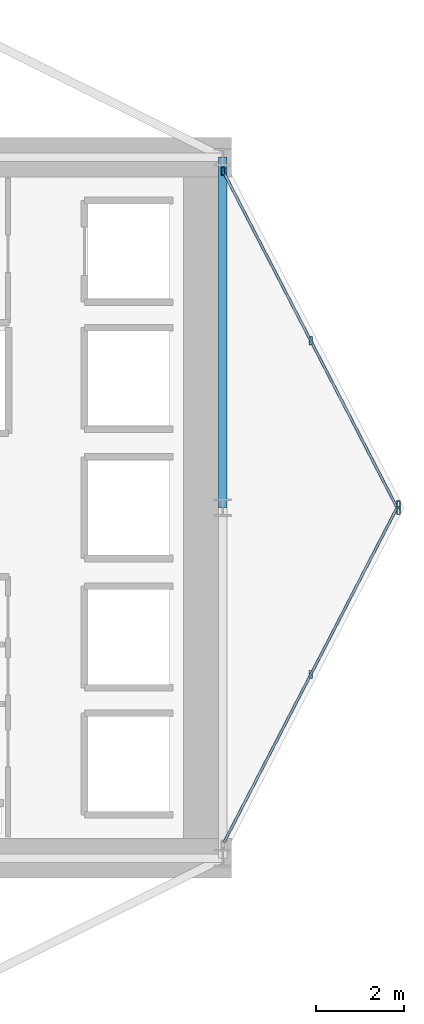
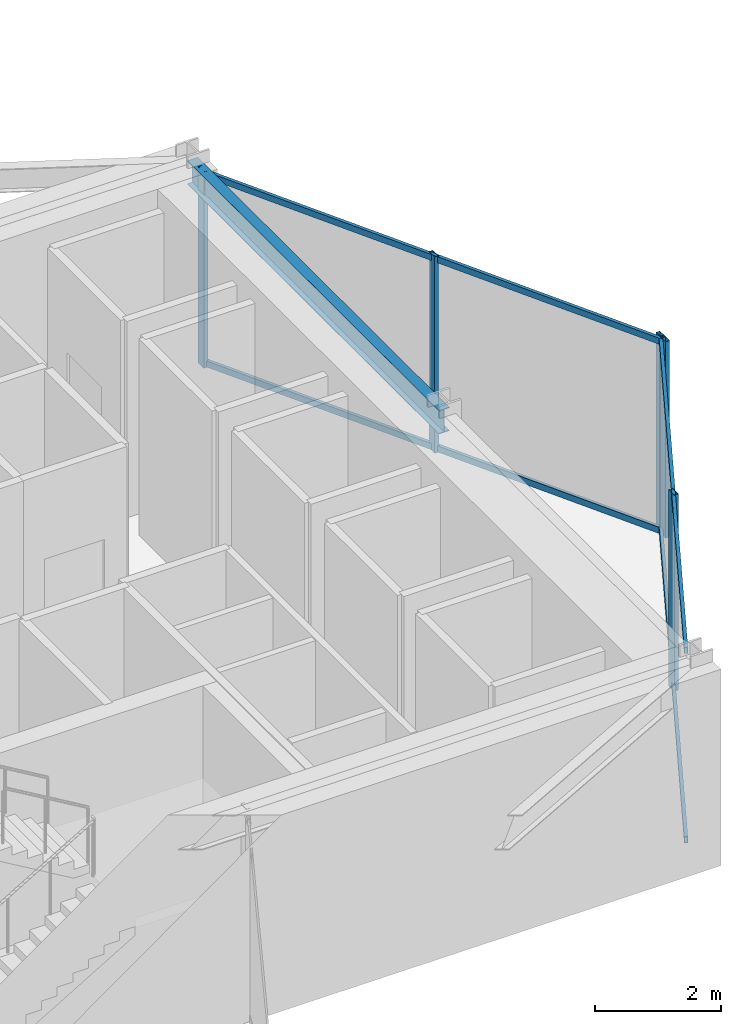
# One storey, part 18 of 28: 9 members, 1 beam, 2 elements without a shape of their own.
"""IFC4 building model written with IfcOpenShell, lengths in metres."""

from ifc_helpers import new_model, si_unit, direction, frame, origin, origin_2d, place, context, subcontext, project, spatial, hollow_rectangle, i_section, extrude, material, layer, layer_set, material_profile, profile_set, type_object, element, aggregate, save


model = new_model("IFC4")

# Units and contexts
model_context = context("Model", 3, precision=1e-05, world=origin(), true_north=direction((0.0, 1.0)))
body_context = subcontext(model_context, "Body", "Model", "MODEL_VIEW")
ifc_project = project(units=[si_unit("LENGTHUNIT", "METRE"), si_unit("AREAUNIT", "SQUARE_METRE"), si_unit("VOLUMEUNIT", "CUBIC_METRE"), si_unit("PLANEANGLEUNIT", "RADIAN"), si_unit("MASSUNIT", "GRAM", prefix="KILO")], contexts=[model_context])

# Site, building, storey
site_placement = place(None, origin())
site = spatial("IfcSite", under=ifc_project, at=site_placement, CompositionType="ELEMENT")
building_placement = place(site_placement, origin())
building = spatial("IfcBuilding", under=site, at=building_placement, Name="Veymaron Broadcast Tower", CompositionType="ELEMENT")
storey_placement = place(building_placement, frame((0.0, 0.0, 45.89990234375)))
storey = spatial("IfcBuildingStorey", under=building, at=storey_placement, Name="L09", CompositionType="ELEMENT", Elevation=45.89990234375)

# Beam
ifc_material_1 = material(Name="Structural steel ASTM A992 Gr 50", Category="steel")
ifc_material_profile_1 = material_profile(ifc_material_1, i_section(OverallWidth=0.19091796875, OverallDepth=0.4599609375, WebThickness=0.010009765625, FlangeThickness=0.01611328125, at=origin_2d()), Name="W460X82")
ifc_profile_set_1 = profile_set([ifc_material_profile_1], Name="Structural steel ASTM A992 Gr 50")
beam_type = type_object("IfcBeamType", Name="BM-SP1", PredefinedType="SPANDREL", material=ifc_profile_set_1)
beam_placement = place(storey_placement, frame((54.60009765625, 24.0, 3.580078125), z_axis=(0.0, 1.0, 0.0), x_axis=(-1.0, 0.0, 0.0)))
element("IfcBeam", 1, at=beam_placement, inside=storey, type_object=beam_type, Name="L09 primary structural floor girder", PredefinedType="SPANDREL", context=body_context, shape_type="SweptSolid", body=[
    extrude(i_section(OverallWidth=0.19091796875, OverallDepth=0.4599609375, WebThickness=0.010009765625, FlangeThickness=0.01611328125, at=origin_2d()), origin(), (0.0, 0.0, 1.0), 8.0),
])

# Curtain wall, members
ifc_material_2 = material(Name="Anodised aluminium AA 6063-T6 and laminated low-E dark glass", Category="aluminium")
ifc_layer = layer(ifc_material_2, 0.179931640625)
ifc_layer_set = layer_set([ifc_layer], Name="Anodised aluminium AA 6063-T6 and laminated low-E dark glass")
curtain_wall_type = type_object("IfcCurtainWallType", Name="CW-SYS-02", PredefinedType="NOTDEFINED", material=ifc_layer_set)
curtain_wall_1_placement = place(storey_placement, origin())
curtain_wall_1 = element("IfcCurtainWall", 2, at=curtain_wall_1_placement, inside=storey, type_object=curtain_wall_type, Name="L09 dark-glass curtain wall CW-L09-E2-1", PredefinedType="NOTDEFINED")
ifc_material_3 = material(Name="Anodised aluminium AA 6063-T6", Category="aluminium")
ifc_material_profile_2 = material_profile(ifc_material_3, hollow_rectangle(XDim=0.074951171875, YDim=0.179931640625, WallThickness=0.0048828125, at=origin_2d()), Name="AL180X75X5")
ifc_profile_set_2 = profile_set([ifc_material_profile_2], Name="Anodised aluminium AA 6063-T6")
member_type_1 = type_object("IfcMemberType", Name="CW-MUL-02", PredefinedType="MULLION", material=ifc_profile_set_2)
member_1_placement = place(storey_placement, frame((56.610107421875, 20.19189453125, 0.0), z_axis=(0.0, 0.0, 1.0), x_axis=(1.0, 0.0, 0.0)))
member_1 = element("IfcMember", 3, at=member_1_placement, type_object=member_type_1, Name="CW-L09-E2-1 mullion 1", PredefinedType="MULLION", context=body_context, shape_type="SweptSolid", body=[
    extrude(hollow_rectangle(XDim=0.074951171875, YDim=0.179931640625, WallThickness=0.0048828125, at=origin_2d()), origin(), (0.0, 0.0, 1.0), 3.81005859375),
])
member_2_placement = place(storey_placement, frame((58.612548828125, 24.064208984375, 0.0), z_axis=(0.0, 0.0, 1.0), x_axis=(1.0, 0.0, 0.0)))
member_2 = element("IfcMember", 4, at=member_2_placement, type_object=member_type_1, Name="CW-L09-E2-1 mullion 2", PredefinedType="MULLION", context=body_context, shape_type="SweptSolid", body=[
    extrude(hollow_rectangle(XDim=0.074951171875, YDim=0.179931640625, WallThickness=0.0048828125, at=origin_2d()), origin(), (0.0, 0.0, 1.0), 3.81005859375),
])

curtain_wall_2_placement = place(storey_placement, origin())
curtain_wall_2 = element("IfcCurtainWall", 5, at=curtain_wall_2_placement, inside=storey, type_object=curtain_wall_type, Name="L09 dark-glass curtain wall CW-L09-E3-1", PredefinedType="NOTDEFINED")
member_3_placement = place(storey_placement, frame((58.612548828125, 23.935791015625, 0.0), z_axis=(0.0, 0.0, 1.0), x_axis=(1.0, 0.0, 0.0)))
member_3 = element("IfcMember", 6, at=member_3_placement, type_object=member_type_1, Name="CW-L09-E3-1 mullion 0", PredefinedType="MULLION", context=body_context, shape_type="SweptSolid", body=[
    extrude(hollow_rectangle(XDim=0.074951171875, YDim=0.179931640625, WallThickness=0.0048828125, at=origin_2d()), origin(), (0.0, 0.0, 1.0), 3.81005859375),
])
member_4_placement = place(storey_placement, frame((56.610107421875, 27.80810546875, 0.0), z_axis=(0.0, 0.0, 1.0), x_axis=(1.0, 0.0, 0.0)))
member_4 = element("IfcMember", 7, at=member_4_placement, type_object=member_type_1, Name="CW-L09-E3-1 mullion 1", PredefinedType="MULLION", context=body_context, shape_type="SweptSolid", body=[
    extrude(hollow_rectangle(XDim=0.074951171875, YDim=0.179931640625, WallThickness=0.0048828125, at=origin_2d()), origin(), (0.0, 0.0, 1.0), 3.81005859375),
])
member_5_placement = place(storey_placement, frame((54.607666015625, 31.680419921875, 0.0), z_axis=(0.0, 0.0, 1.0), x_axis=(1.0, 0.0, 0.0)))
member_5 = element("IfcMember", 8, at=member_5_placement, type_object=member_type_1, Name="CW-L09-E3-1 mullion 2", PredefinedType="MULLION", context=body_context, shape_type="SweptSolid", body=[
    extrude(hollow_rectangle(XDim=0.074951171875, YDim=0.179931640625, WallThickness=0.0048828125, at=origin_2d()), origin(), (0.0, 0.0, 1.0), 3.81005859375),
])

# Member
ifc_material_profile_3 = material_profile(ifc_material_3, hollow_rectangle(XDim=0.06005859375, YDim=0.1201171875, WallThickness=0.00390625, at=origin_2d()), Name="AL120X60X4")
ifc_profile_set_3 = profile_set([ifc_material_profile_3], Name="Anodised aluminium AA 6063-T6")
member_type_2 = type_object("IfcMemberType", Name="CW-TRN-02", PredefinedType="USERDEFINED", material=ifc_profile_set_3)
member_6_placement = place(storey_placement, frame((54.630615234375, 16.364013671875, 0.070068359375), z_axis=(0.45932967534, 0.888265866366, 0.0), x_axis=(-0.888265866366, 0.45932967534, 0.0)))
member_6 = element("IfcMember", 9, at=member_6_placement, type_object=member_type_2, Name="CW-L09-E2-1 transom B", ObjectType="TRANSOM", PredefinedType="USERDEFINED", context=body_context, shape_type="SweptSolid", body=[
    extrude(hollow_rectangle(XDim=0.06005859375, YDim=0.1201171875, WallThickness=0.00390625, at=origin_2d()), origin(), (0.0, 0.0, 1.0), 8.619140625),
])

member_7_placement = place(storey_placement, frame((54.630615234375, 16.364013671875, 3.739990234375), z_axis=(0.45932967534, 0.888265866366, 0.0), x_axis=(-0.888265866366, 0.45932967534, 0.0)))
member_7 = element("IfcMember", 10, at=member_7_placement, type_object=member_type_2, Name="CW-L09-E2-1 transom T", ObjectType="TRANSOM", PredefinedType="USERDEFINED", context=body_context, shape_type="SweptSolid", body=[
    extrude(hollow_rectangle(XDim=0.06005859375, YDim=0.1201171875, WallThickness=0.00390625, at=origin_2d()), origin(), (0.0, 0.0, 1.0), 8.619140625),
])

aggregate(curtain_wall_1, [member_1, member_2, member_6, member_7])

member_8_placement = place(storey_placement, frame((58.589599609375, 23.97998046875, 0.070068359375), z_axis=(-0.45932967534, 0.888265866366, 0.0), x_axis=(-0.888265866366, -0.45932967534, 0.0)))
member_8 = element("IfcMember", 11, at=member_8_placement, type_object=member_type_2, Name="CW-L09-E3-1 transom B", ObjectType="TRANSOM", PredefinedType="USERDEFINED", context=body_context, shape_type="SweptSolid", body=[
    extrude(hollow_rectangle(XDim=0.06005859375, YDim=0.1201171875, WallThickness=0.00390625, at=origin_2d()), origin(), (0.0, 0.0, 1.0), 8.619140625),
])

member_9_placement = place(storey_placement, frame((58.589599609375, 23.97998046875, 3.739990234375), z_axis=(-0.45932967534, 0.888265866366, 0.0), x_axis=(-0.888265866366, -0.45932967534, 0.0)))
member_9 = element("IfcMember", 12, at=member_9_placement, type_object=member_type_2, Name="CW-L09-E3-1 transom T", ObjectType="TRANSOM", PredefinedType="USERDEFINED", context=body_context, shape_type="SweptSolid", body=[
    extrude(hollow_rectangle(XDim=0.06005859375, YDim=0.1201171875, WallThickness=0.00390625, at=origin_2d()), origin(), (0.0, 0.0, 1.0), 8.619140625),
])

aggregate(curtain_wall_2, [member_3, member_4, member_5, member_8, member_9])

save(model, "model.ifc")
